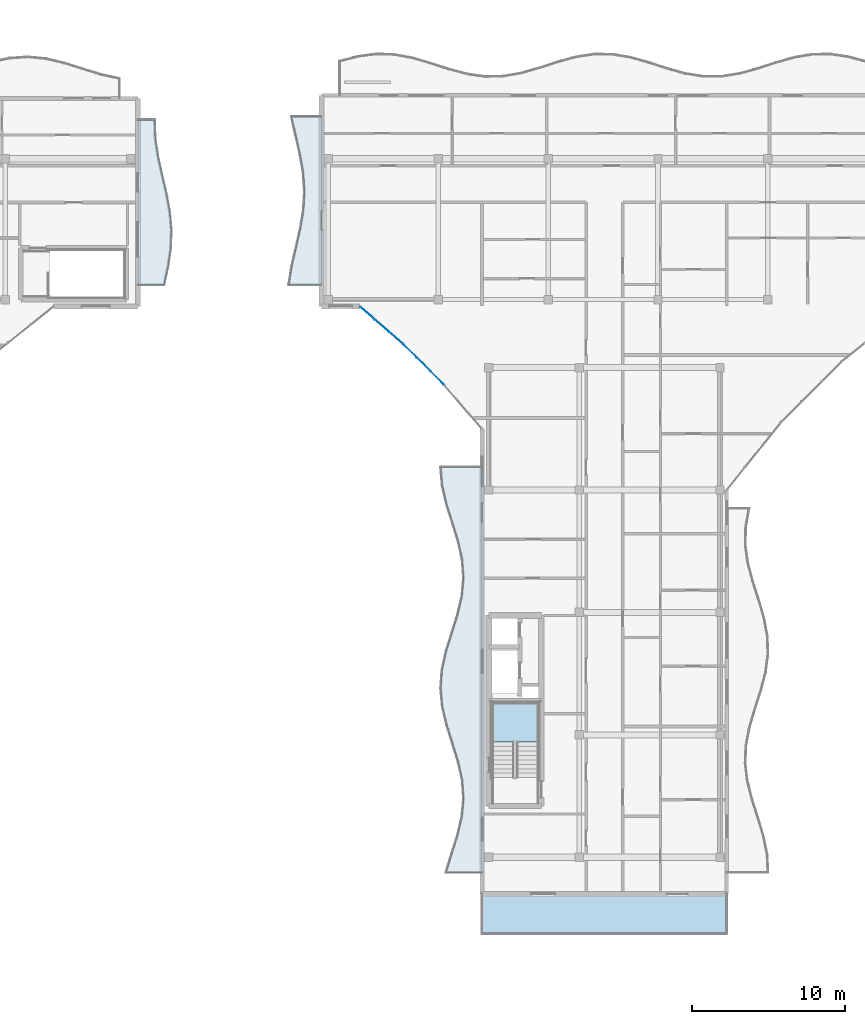
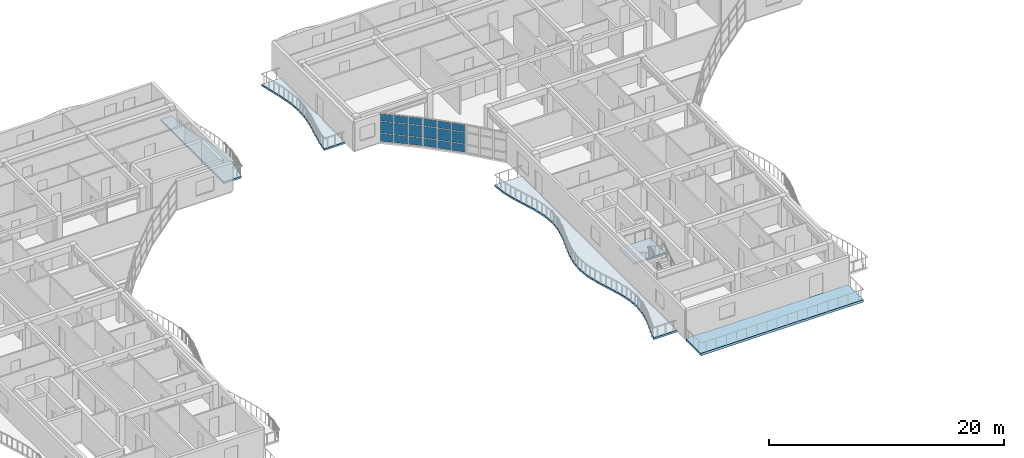
# One storey, part 22 of 49: 18 plates, 5 slabs, 3 elements without a shape of their own.
"""IFC4 building model written with IfcOpenShell, lengths in metres."""

from ifc_helpers import new_model, si_unit, direction, frame, origin, origin_2d, place, context, subcontext, project, spatial, polyline, rectangle, outline, extrude, material, layer, layer_set, type_object, element, aggregate, save


model = new_model("IFC4")

# Units and contexts
model_context = context("Model", 3, precision=1e-05, world=origin(), true_north=direction((0.0, 1.0)))
body_context = subcontext(model_context, "Body", "Model", "MODEL_VIEW")
ifc_project = project(units=[si_unit("LENGTHUNIT", "METRE"), si_unit("AREAUNIT", "SQUARE_METRE"), si_unit("VOLUMEUNIT", "CUBIC_METRE"), si_unit("PLANEANGLEUNIT", "RADIAN"), si_unit("MASSUNIT", "GRAM", prefix="KILO")], contexts=[model_context])

# Site, building, storey
site_placement = place(None, origin())
site = spatial("IfcSite", under=ifc_project, at=site_placement, CompositionType="ELEMENT")
building_placement = place(site_placement, origin())
building = spatial("IfcBuilding", under=site, at=building_placement, Name="Keldmere Railside Commons", CompositionType="ELEMENT")
storey_placement = place(building_placement, frame((0.0, 0.0, 29.760009765625)))
storey = spatial("IfcBuildingStorey", under=building, at=storey_placement, Name="L09", CompositionType="ELEMENT", Elevation=29.760009765625)

# Curtain wall, plates
ifc_material_1 = material(Name="Thermally Broken Aluminium", Category="aluminium")
ifc_layer_1 = layer(ifc_material_1, 0.159912109375, Name="Court Chord Wintergarden CW 4800x2850")
ifc_layer_set_1 = layer_set([ifc_layer_1], Name="Thermally Broken Aluminium")
curtain_wall_type_1 = type_object("IfcCurtainWallType", Name="Court Chord Wintergarden CW 4800x2850", PredefinedType="NOTDEFINED", material=ifc_layer_set_1)
curtain_wall_1_placement = place(storey_placement, origin())
curtain_wall_1 = element("IfcCurtainWall", 1, at=curtain_wall_1_placement, inside=storey, type_object=curtain_wall_type_1, Name="CW-12 CW-L09-142", PredefinedType="NOTDEFINED")
ifc_material_2 = material(Name="Low-E Insulated Double Glazing", Category="glass")
ifc_layer_2 = layer(ifc_material_2, 0.033935546875, Name="Acoustic Laminated Vision Panel 34")
ifc_layer_set_2 = layer_set([ifc_layer_2], Name="Low-E Insulated Double Glazing")
plate_type_1 = type_object("IfcPlateType", Name="Acoustic Laminated Vision Panel 34", PredefinedType="CURTAIN_PANEL", material=ifc_layer_set_2)
plate_1_placement = place(storey_placement, frame((98.369384765625, 97.952392578125, 0.06494140625), z_axis=(0.0, 0.0, 1.0), x_axis=(-0.756596767584, 0.653881741053, 0.0)))
plate_1 = element("IfcPlate", 2, at=plate_1_placement, type_object=plate_type_1, Name="CW-12 panel 1.1", PredefinedType="CURTAIN_PANEL", context=body_context, shape_type="SweptSolid", body=[
    extrude(rectangle(XDim=1.16162109375, YDim=0.033935546875, at=origin_2d()), origin(), (0.0, 0.0, 1.0), 0.802490234375),
])
plate_2_placement = place(storey_placement, frame((98.369384765625, 97.952392578125, 0.932373046875), z_axis=(0.0, 0.0, 1.0), x_axis=(-0.756596767584, 0.653881741053, 0.0)))
plate_2 = element("IfcPlate", 3, at=plate_2_placement, type_object=plate_type_1, Name="CW-12 panel 1.2", PredefinedType="CURTAIN_PANEL", context=body_context, shape_type="SweptSolid", body=[
    extrude(rectangle(XDim=1.16162109375, YDim=0.033935546875, at=origin_2d()), origin(), (0.0, 0.0, 1.0), 1.18505859375),
])
plate_3_placement = place(storey_placement, frame((98.369384765625, 97.952392578125, 2.1826171875), z_axis=(0.0, 0.0, 1.0), x_axis=(-0.756596767584, 0.653881741053, 0.0)))
plate_3 = element("IfcPlate", 4, at=plate_3_placement, type_object=plate_type_1, Name="CW-12 panel 1.3", PredefinedType="CURTAIN_PANEL", context=body_context, shape_type="SweptSolid", body=[
    extrude(rectangle(XDim=1.16162109375, YDim=0.033935546875, at=origin_2d()), origin(), (0.0, 0.0, 1.0), 0.732421875),
])
plate_4_placement = place(storey_placement, frame((97.428955078125, 98.764892578125, 0.06494140625), z_axis=(0.0, 0.0, 1.0), x_axis=(-0.756596767584, 0.653881741053, 0.0)))
plate_4 = element("IfcPlate", 5, at=plate_4_placement, type_object=plate_type_1, Name="CW-12 panel 2.1", PredefinedType="CURTAIN_PANEL", context=body_context, shape_type="SweptSolid", body=[
    extrude(rectangle(XDim=1.194091796875, YDim=0.033935546875, at=origin_2d()), origin(), (0.0, 0.0, 1.0), 0.802490234375),
])
plate_5_placement = place(storey_placement, frame((97.428955078125, 98.764892578125, 0.932373046875), z_axis=(0.0, 0.0, 1.0), x_axis=(-0.756596767584, 0.653881741053, 0.0)))
plate_5 = element("IfcPlate", 6, at=plate_5_placement, type_object=plate_type_1, Name="CW-12 panel 2.2", PredefinedType="CURTAIN_PANEL", context=body_context, shape_type="SweptSolid", body=[
    extrude(rectangle(XDim=1.194091796875, YDim=0.033935546875, at=origin_2d()), origin(), (0.0, 0.0, 1.0), 1.18505859375),
])
plate_6_placement = place(storey_placement, frame((97.428955078125, 98.764892578125, 2.1826171875), z_axis=(0.0, 0.0, 1.0), x_axis=(-0.756596767584, 0.653881741053, 0.0)))
plate_6 = element("IfcPlate", 7, at=plate_6_placement, type_object=plate_type_1, Name="CW-12 panel 2.3", PredefinedType="CURTAIN_PANEL", context=body_context, shape_type="SweptSolid", body=[
    extrude(rectangle(XDim=1.194091796875, YDim=0.033935546875, at=origin_2d()), origin(), (0.0, 0.0, 1.0), 0.732421875),
])
plate_7_placement = place(storey_placement, frame((96.488525390625, 99.57763671875, 0.06494140625), z_axis=(0.0, 0.0, 1.0), x_axis=(-0.756596767584, 0.653881741053, 0.0)))
plate_7 = element("IfcPlate", 8, at=plate_7_placement, type_object=plate_type_1, Name="CW-12 panel 3.1", PredefinedType="CURTAIN_PANEL", context=body_context, shape_type="SweptSolid", body=[
    extrude(rectangle(XDim=1.16162109375, YDim=0.033935546875, at=origin_2d()), origin(), (0.0, 0.0, 1.0), 0.802490234375),
])
plate_8_placement = place(storey_placement, frame((96.488525390625, 99.57763671875, 0.932373046875), z_axis=(0.0, 0.0, 1.0), x_axis=(-0.756596767584, 0.653881741053, 0.0)))
plate_8 = element("IfcPlate", 9, at=plate_8_placement, type_object=plate_type_1, Name="CW-12 panel 3.2", PredefinedType="CURTAIN_PANEL", context=body_context, shape_type="SweptSolid", body=[
    extrude(rectangle(XDim=1.16162109375, YDim=0.033935546875, at=origin_2d()), origin(), (0.0, 0.0, 1.0), 1.18505859375),
])
plate_9_placement = place(storey_placement, frame((96.488525390625, 99.57763671875, 2.1826171875), z_axis=(0.0, 0.0, 1.0), x_axis=(-0.756596767584, 0.653881741053, 0.0)))
plate_9 = element("IfcPlate", 10, at=plate_9_placement, type_object=plate_type_1, Name="CW-12 panel 3.3", PredefinedType="CURTAIN_PANEL", context=body_context, shape_type="SweptSolid", body=[
    extrude(rectangle(XDim=1.16162109375, YDim=0.033935546875, at=origin_2d()), origin(), (0.0, 0.0, 1.0), 0.732421875),
])
aggregate(curtain_wall_1, [plate_1, plate_2, plate_3, plate_4, plate_5, plate_6, plate_7, plate_8, plate_9])

ifc_layer_3 = layer(ifc_material_1, 0.159912109375, Name="Court Chord Wintergarden CW 5400x2850")
ifc_layer_set_3 = layer_set([ifc_layer_3], Name="Thermally Broken Aluminium")
curtain_wall_type_2 = type_object("IfcCurtainWallType", Name="Court Chord Wintergarden CW 5400x2850", PredefinedType="NOTDEFINED", material=ifc_layer_set_3)
curtain_wall_2_placement = place(storey_placement, origin())
curtain_wall_2 = element("IfcCurtainWall", 11, at=curtain_wall_2_placement, inside=storey, type_object=curtain_wall_type_2, Name="CW-13 CW-L09-143", PredefinedType="NOTDEFINED")
ifc_layer_4 = layer(ifc_material_2, 0.031982421875, Name="Clerestory Solar-Control Vision Panel 32")
ifc_layer_set_4 = layer_set([ifc_layer_4], Name="Low-E Insulated Double Glazing")
plate_type_2 = type_object("IfcPlateType", Name="Clerestory Solar-Control Vision Panel 32", PredefinedType="CURTAIN_PANEL", material=ifc_layer_set_4)
plate_10_placement = place(storey_placement, frame((101.0732421875, 95.31494140625, 0.06494140625), z_axis=(0.0, 0.0, 1.0), x_axis=(-0.707106781187, 0.707106781187, 0.0)))
plate_10 = element("IfcPlate", 12, at=plate_10_placement, type_object=plate_type_2, Name="CW-13 panel 1.1", PredefinedType="CURTAIN_PANEL", context=body_context, shape_type="SweptSolid", body=[
    extrude(rectangle(XDim=1.162109375, YDim=0.031982421875, at=origin_2d()), origin(), (0.0, 0.0, 1.0), 0.802490234375),
])
plate_11_placement = place(storey_placement, frame((101.0732421875, 95.31494140625, 0.932373046875), z_axis=(0.0, 0.0, 1.0), x_axis=(-0.707106781187, 0.707106781187, 0.0)))
plate_11 = element("IfcPlate", 13, at=plate_11_placement, type_object=plate_type_2, Name="CW-13 panel 1.2", PredefinedType="CURTAIN_PANEL", context=body_context, shape_type="SweptSolid", body=[
    extrude(rectangle(XDim=1.162109375, YDim=0.031982421875, at=origin_2d()), origin(), (0.0, 0.0, 1.0), 1.18505859375),
])
plate_12_placement = place(storey_placement, frame((101.0732421875, 95.31494140625, 2.1826171875), z_axis=(0.0, 0.0, 1.0), x_axis=(-0.707106781187, 0.707106781187, 0.0)))
plate_12 = element("IfcPlate", 14, at=plate_12_placement, type_object=plate_type_2, Name="CW-13 panel 1.3", PredefinedType="CURTAIN_PANEL", context=body_context, shape_type="SweptSolid", body=[
    extrude(rectangle(XDim=1.162109375, YDim=0.031982421875, at=origin_2d()), origin(), (0.0, 0.0, 1.0), 0.732421875),
])
plate_13_placement = place(storey_placement, frame((100.194091796875, 96.194091796875, 0.06494140625), z_axis=(0.0, 0.0, 1.0), x_axis=(-0.707106781187, 0.707106781187, 0.0)))
plate_13 = element("IfcPlate", 15, at=plate_13_placement, type_object=plate_type_2, Name="CW-13 panel 2.1", PredefinedType="CURTAIN_PANEL", context=body_context, shape_type="SweptSolid", body=[
    extrude(rectangle(XDim=1.194580078125, YDim=0.031982421875, at=origin_2d()), origin(), (0.0, 0.0, 1.0), 0.802490234375),
])
plate_14_placement = place(storey_placement, frame((100.194091796875, 96.194091796875, 0.932373046875), z_axis=(0.0, 0.0, 1.0), x_axis=(-0.707106781187, 0.707106781187, 0.0)))
plate_14 = element("IfcPlate", 16, at=plate_14_placement, type_object=plate_type_2, Name="CW-13 panel 2.2", PredefinedType="CURTAIN_PANEL", context=body_context, shape_type="SweptSolid", body=[
    extrude(rectangle(XDim=1.194580078125, YDim=0.031982421875, at=origin_2d()), origin(), (0.0, 0.0, 1.0), 1.18505859375),
])
plate_15_placement = place(storey_placement, frame((100.194091796875, 96.194091796875, 2.1826171875), z_axis=(0.0, 0.0, 1.0), x_axis=(-0.707106781187, 0.707106781187, 0.0)))
plate_15 = element("IfcPlate", 17, at=plate_15_placement, type_object=plate_type_2, Name="CW-13 panel 2.3", PredefinedType="CURTAIN_PANEL", context=body_context, shape_type="SweptSolid", body=[
    extrude(rectangle(XDim=1.194580078125, YDim=0.031982421875, at=origin_2d()), origin(), (0.0, 0.0, 1.0), 0.732421875),
])
plate_16_placement = place(storey_placement, frame((99.31494140625, 97.0732421875, 0.06494140625), z_axis=(0.0, 0.0, 1.0), x_axis=(-0.707106781187, 0.707106781187, 0.0)))
plate_16 = element("IfcPlate", 18, at=plate_16_placement, type_object=plate_type_2, Name="CW-13 panel 3.1", PredefinedType="CURTAIN_PANEL", context=body_context, shape_type="SweptSolid", body=[
    extrude(rectangle(XDim=1.162109375, YDim=0.031982421875, at=origin_2d()), origin(), (0.0, 0.0, 1.0), 0.802490234375),
])
plate_17_placement = place(storey_placement, frame((99.31494140625, 97.0732421875, 0.932373046875), z_axis=(0.0, 0.0, 1.0), x_axis=(-0.707106781187, 0.707106781187, 0.0)))
plate_17 = element("IfcPlate", 19, at=plate_17_placement, type_object=plate_type_2, Name="CW-13 panel 3.2", PredefinedType="CURTAIN_PANEL", context=body_context, shape_type="SweptSolid", body=[
    extrude(rectangle(XDim=1.162109375, YDim=0.031982421875, at=origin_2d()), origin(), (0.0, 0.0, 1.0), 1.18505859375),
])
plate_18_placement = place(storey_placement, frame((99.31494140625, 97.0732421875, 2.1826171875), z_axis=(0.0, 0.0, 1.0), x_axis=(-0.707106781187, 0.707106781187, 0.0)))
plate_18 = element("IfcPlate", 20, at=plate_18_placement, type_object=plate_type_2, Name="CW-13 panel 3.3", PredefinedType="CURTAIN_PANEL", context=body_context, shape_type="SweptSolid", body=[
    extrude(rectangle(XDim=1.162109375, YDim=0.031982421875, at=origin_2d()), origin(), (0.0, 0.0, 1.0), 0.732421875),
])
aggregate(curtain_wall_2, [plate_10, plate_11, plate_12, plate_13, plate_14, plate_15, plate_16, plate_17, plate_18])

# Stair, slab
ifc_material_3 = material(Name="Concrete H-30 (C30/37)", Category="concrete")
stair_type = type_object("IfcStairType", Name="Basement Garage Dogleg Escape Stair 1450", PredefinedType="HALF_TURN_STAIR", material=ifc_material_3)
stair_placement = place(storey_placement, origin())
stair = element("IfcStair", 21, at=stair_placement, inside=storey, type_object=stair_type, Name="L09 Block B Primary Escape Stair 1", PredefinedType="HALF_TURN_STAIR")
ifc_layer_5 = layer(ifc_material_3, 0.199951171875, Name="Enclosed Stair Landing Slab 200")
ifc_layer_set_5 = layer_set([ifc_layer_5], Name="Concrete H-30 (C30/37)")
slab_type_1 = type_object("IfcSlabType", Name="Enclosed Stair Landing Slab 200", PredefinedType="LANDING", material=ifc_layer_set_5)
slab_1_placement = place(storey_placement, frame((0.0, 0.0, 1.39990234375)))
slab_1 = element("IfcSlab", 22, at=slab_1_placement, type_object=slab_type_1, Name="ST-B1 landing 1", PredefinedType="LANDING", context=body_context, shape_type="SweptSolid", body=[
    extrude(outline(polyline([(107.699951171875, 71.52001953125), (107.699951171875, 74.10009765625), (104.64990234375, 74.10009765625), (104.64990234375, 71.52001953125), (107.699951171875, 71.52001953125)])), origin(), (0.0, 0.0, 1.0), 0.2001953125),
])
aggregate(stair, [slab_1])

# Slabs
ifc_material_4 = material(Name="Concrete H-35 (C35/45)", Category="concrete")
ifc_layer_6 = layer(ifc_material_4, 0.25, Name="Planted Terrace Roof Slab 250")
ifc_layer_set_6 = layer_set([ifc_layer_6], Name="Concrete H-35 (C35/45)")
slab_type_2 = type_object("IfcSlabType", Name="Planted Terrace Roof Slab 250", PredefinedType="ROOF", material=ifc_layer_set_6)
slab_2_placement = place(storey_placement, frame((0.0, 0.0, -0.25)))
element("IfcSlab", 23, at=slab_2_placement, inside=storey, type_object=slab_type_2, Name="RT-1 TERRB-L09-047", PredefinedType="ROOF", context=body_context, shape_type="SweptSolid", body=[
    extrude(outline(polyline([(120.0, 59.0), (120.0, 61.590087890625), (104.0, 61.590087890625), (104.0, 59.0), (120.0, 59.0)])), origin(), (0.0, 0.0, 1.0), 0.25),
])
ifc_material_5 = material(Name="White Precast Concrete H-35 (C35/45)", Category="concrete")
ifc_layer_7 = layer(ifc_material_5, 0.179931640625, Name="Sinusoidal Wave Balcony Slab 180")
ifc_layer_set_7 = layer_set([ifc_layer_7], Name="White Precast Concrete H-35 (C35/45)")
slab_type_3 = type_object("IfcSlabType", Name="Sinusoidal Wave Balcony Slab 180", PredefinedType="FLOOR", material=ifc_layer_set_7)
slab_3_placement = place(storey_placement, frame((0.0, 0.0, -0.179931640625)))
element("IfcSlab", 24, at=slab_3_placement, inside=storey, type_object=slab_type_3, Name="WB-1 C L09 WE Wave Balcony", PredefinedType="FLOOR", context=body_context, shape_type="SweptSolid", body=[
    extrude(outline(polyline([(83.214111328125, 101.39990234375), (83.478515625, 102.60009765625), (83.655029296875, 103.800048828125), (83.6962890625, 105.0), (83.591064453125, 106.199951171875), (83.36767578125, 107.39990234375), (83.0859375, 108.60009765625), (82.8212890625, 109.800048828125), (82.64501953125, 111.0), (82.603759765625, 112.199951171875), (81.5, 112.199951171875), (81.5, 111.0), (81.5, 109.800048828125), (81.5, 108.60009765625), (81.5, 107.39990234375), (81.5, 106.199951171875), (81.5, 105.0), (81.5, 103.800048828125), (81.5, 102.60009765625), (81.5, 101.39990234375), (83.214111328125, 101.39990234375)])), origin(), (0.0, 0.0, 1.0), 0.179931640625),
])
slab_4_placement = place(storey_placement, frame((0.0, 0.0, -0.179931640625)))
element("IfcSlab", 25, at=slab_4_placement, inside=storey, type_object=slab_type_3, Name="WB-1 B L09 CW Wave Balcony", PredefinedType="FLOOR", context=body_context, shape_type="SweptSolid", body=[
    extrude(outline(polyline([(104.0, 63.0), (104.0, 64.20458984375), (104.0, 65.4091796875), (104.0, 66.613525390625), (104.0, 67.818115234375), (104.0, 69.022705078125), (104.0, 70.227294921875), (104.0, 71.431884765625), (104.0, 72.636474609375), (104.0, 73.8408203125), (104.0, 75.04541015625), (104.0, 76.25), (104.0, 77.45458984375), (104.0, 78.6591796875), (104.0, 79.863525390625), (104.0, 81.068115234375), (104.0, 82.272705078125), (104.0, 83.477294921875), (104.0, 84.681884765625), (104.0, 85.886474609375), (104.0, 87.0908203125), (104.0, 88.29541015625), (104.0, 89.5), (101.300048828125, 89.5), (101.404052734375, 88.29541015625), (101.6826171875, 87.0908203125), (102.06005859375, 85.886474609375), (102.43505859375, 84.681884765625), (102.7060546875, 83.477294921875), (102.7998046875, 82.272705078125), (102.69140625, 81.068115234375), (102.40966796875, 79.863525390625), (102.031005859375, 78.6591796875), (101.6572265625, 77.45458984375), (101.389892578125, 76.25), (101.30029296875, 75.04541015625), (101.413330078125, 73.8408203125), (101.6982421875, 72.636474609375), (102.077880859375, 71.431884765625), (102.4501953125, 70.227294921875), (102.71435546875, 69.022705078125), (102.79931640625, 67.818115234375), (102.681884765625, 66.613525390625), (102.393798828125, 65.4091796875), (102.01318359375, 64.20458984375), (101.642333984375, 63.0), (104.0, 63.0)])), origin(), (0.0, 0.0, 1.0), 0.179931640625),
])
slab_5_placement = place(storey_placement, frame((0.0, 0.0, -0.179931640625)))
element("IfcSlab", 26, at=slab_5_placement, inside=storey, type_object=slab_type_3, Name="WB-1 B L09 WW Wave Balcony", PredefinedType="FLOOR", context=body_context, shape_type="SweptSolid", body=[
    extrude(outline(polyline([(93.5, 101.39990234375), (93.5, 102.622314453125), (93.5, 103.844482421875), (93.5, 105.066650390625), (93.5, 106.288818359375), (93.5, 107.510986328125), (93.5, 108.7333984375), (93.5, 109.95556640625), (93.5, 111.177734375), (93.5, 112.39990234375), (91.547119140625, 112.39990234375), (91.822509765625, 111.177734375), (92.105712890625, 109.95556640625), (92.317626953125, 108.7333984375), (92.39990234375, 107.510986328125), (92.329345703125, 106.288818359375), (92.125732421875, 105.066650390625), (91.845458984375, 103.844482421875), (91.56640625, 102.622314453125), (91.3662109375, 101.39990234375), (93.5, 101.39990234375)])), origin(), (0.0, 0.0, 1.0), 0.179931640625),
])

save(model, "model.ifc")
